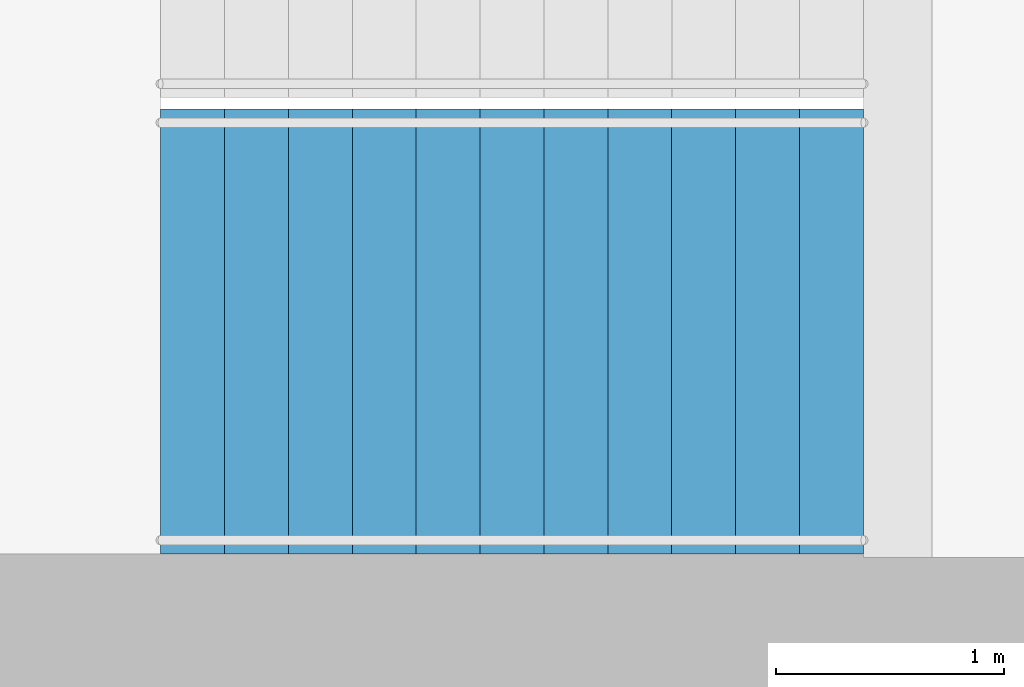
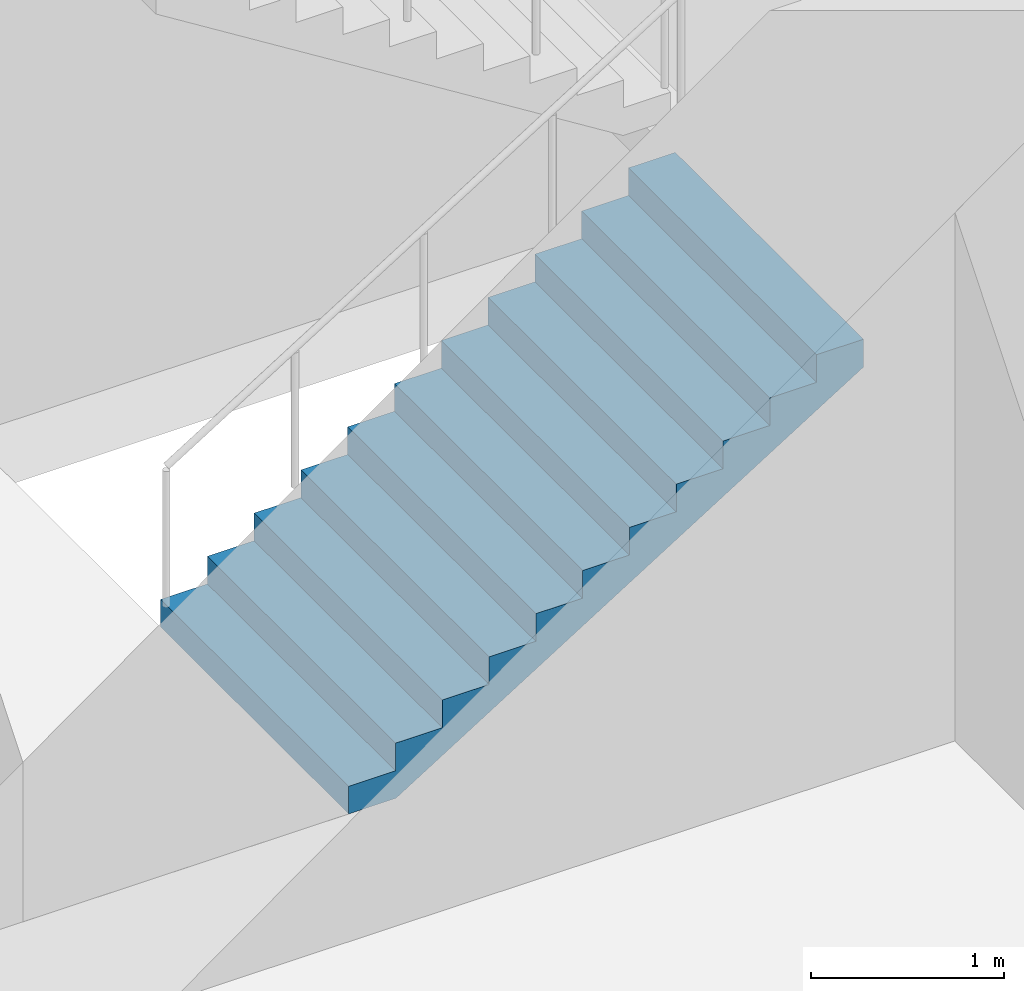
# One storey, part 19 of 23: 1 stair flight, 1 element without a shape of its own.
"""IFC4 building model written with IfcOpenShell, lengths in metres."""

from ifc_helpers import new_model, si_unit, direction, frame, origin, place, context, subcontext, project, spatial, triangles, material, type_object, element, aggregate, save


model = new_model("IFC4")

# Units and contexts
model_context = context("Model", 3, precision=1e-05, world=origin(), true_north=direction((0.0, 1.0)))
body_context = subcontext(model_context, "Body", "Model", "MODEL_VIEW")
ifc_project = project(units=[si_unit("LENGTHUNIT", "METRE"), si_unit("AREAUNIT", "SQUARE_METRE"), si_unit("VOLUMEUNIT", "CUBIC_METRE"), si_unit("PLANEANGLEUNIT", "RADIAN"), si_unit("MASSUNIT", "GRAM", prefix="KILO")], contexts=[model_context])

# Site, building, storey
site_placement = place(None, origin())
site = spatial("IfcSite", under=ifc_project, at=site_placement, CompositionType="ELEMENT")
building_placement = place(site_placement, origin())
building = spatial("IfcBuilding", under=site, at=building_placement, Name="Orbita Commons", CompositionType="ELEMENT")
storey_placement = place(building_placement, frame((0.0, 0.0, 16.0)))
storey = spatial("IfcBuildingStorey", under=building, at=storey_placement, Name="L03", CompositionType="ELEMENT", Elevation=16.0)

# Stair, stair flight
ifc_material_1 = material(Name="Precast concrete C40/50", Category="concrete")
stair_type = type_object("IfcStairType", Name="Exit stair S1 2 flights 12 risers 175", PredefinedType="HALF_TURN_STAIR", material=ifc_material_1)
stair_placement = place(storey_placement, origin())
stair = element("IfcStair", 1, at=stair_placement, inside=storey, type_object=stair_type, Name="Exit stair S1 L03", PredefinedType="HALF_TURN_STAIR")
ifc_material_2 = material(Name="Precast concrete C40/50", Category="concrete")
stair_flight_type = type_object("IfcStairFlightType", Name="Stair flight 12 risers 175 x 280", PredefinedType="STRAIGHT", material=ifc_material_2)
stair_flight_placement = place(storey_placement, frame((20.449951171875, 27.27490234375, 0.0), z_axis=(0.0, 0.0, 1.0), x_axis=(1.0, 0.0, 0.0)))
stair_flight = element("IfcStairFlight", 2, at=stair_flight_placement, type_object=stair_flight_type, Name="S1 flight 1", NumberOfRisers=12, NumberOfTreads=11, PredefinedType="STRAIGHT", RiserHeight=0.175, TreadLength=0.28, context=body_context, shape_type="Tessellation", body=[
    triangles([(0.0, 0.974976, 0.0), (0.0, 0.974976, 0.021875), (0.0, 0.81248, 0.021875), (0.0, 0.81248, 0.0), (0.0, 0.649984, 0.021875), (0.0, 0.649984, 0.0), (0.0, 0.487488, 0.021875), (0.0, 0.487488, 0.0), (0.0, 0.324992, 0.021875), (0.0, 0.324992, 0.0), (0.0, 0.162496, 0.021875), (0.0, 0.162496, 0.0), (0.0, 0.0, 0.021875), (0.0, 0.0, 0.0), (0.0, -0.162496, 0.021875), (0.0, -0.162496, 0.0), (0.0, -0.324992, 0.021875), (0.0, -0.324992, 0.0), (0.0, -0.487488, 0.021875), (0.0, -0.487488, 0.0), (0.0, -0.649984, 0.021875), (0.0, -0.649984, 0.0), (0.0, -0.81248, 0.021875), (0.0, -0.81248, 0.0), (0.0, -0.974976, 0.021875), (0.0, -0.974976, 0.0), (0.0, 0.974976, 0.04375), (0.0, 0.81248, 0.04375), (0.0, 0.649984, 0.04375), (0.0, 0.487488, 0.04375), (0.0, 0.324992, 0.04375), (0.0, 0.162496, 0.04375), (0.0, 0.0, 0.04375), (0.0, -0.162496, 0.04375), (0.0, -0.324992, 0.04375), (0.0, -0.487488, 0.04375), (0.0, -0.649984, 0.04375), (0.0, -0.81248, 0.04375), (0.0, -0.974976, 0.04375), (0.0, 0.974976, 0.065625), (0.0, 0.81248, 0.065625), (0.0, 0.649984, 0.065625), (0.0, 0.487488, 0.065625), (0.0, 0.324992, 0.065625), (0.0, 0.162496, 0.065625), (0.0, 0.0, 0.065625), (0.0, -0.162496, 0.065625), (0.0, -0.324992, 0.065625), (0.0, -0.487488, 0.065625), (0.0, -0.649984, 0.065625), (0.0, -0.81248, 0.065625), (0.0, -0.974976, 0.065625), (0.0, 0.974976, 0.0875), (0.0, 0.81248, 0.0875), (0.0, 0.649984, 0.0875), (0.0, 0.487488, 0.0875), (0.0, 0.324992, 0.0875), (0.0, 0.162496, 0.0875), (0.0, 0.0, 0.0875), (0.0, -0.162496, 0.0875), (0.0, -0.324992, 0.0875), (0.0, -0.487488, 0.0875), (0.0, -0.649984, 0.0875), (0.0, -0.81248, 0.0875), (0.0, -0.974976, 0.0875), (0.0, 0.974976, 0.109375), (0.0, 0.81248, 0.109375), (0.0, 0.649984, 0.109375), (0.0, 0.487488, 0.109375), (0.0, 0.324992, 0.109375), (0.0, 0.162496, 0.109375), (0.0, 0.0, 0.109375), (0.0, -0.162496, 0.109375), (0.0, -0.324992, 0.109375), (0.0, -0.487488, 0.109375), (0.0, -0.649984, 0.109375), (0.0, -0.81248, 0.109375), (0.0, -0.974976, 0.109375), (0.0, 0.974976, 0.13125), (0.0, 0.81248, 0.13125), (0.0, 0.649984, 0.13125), (0.0, 0.487488, 0.13125), (0.0, 0.324992, 0.13125), (0.0, 0.162496, 0.13125), (0.0, 0.0, 0.13125), (0.0, -0.162496, 0.13125), (0.0, -0.324992, 0.13125), (0.0, -0.487488, 0.13125), (0.0, -0.649984, 0.13125), (0.0, -0.81248, 0.13125), (0.0, -0.974976, 0.13125), (0.0, 0.974976, 0.153125), (0.0, 0.81248, 0.153125), (0.0, 0.649984, 0.153125), (0.0, 0.487488, 0.153125), (0.0, 0.324992, 0.153125), (0.0, 0.162496, 0.153125), (0.0, 0.0, 0.153125), (0.0, -0.162496, 0.153125), (0.0, -0.324992, 0.153125), (0.0, -0.487488, 0.153125), (0.0, -0.649984, 0.153125), (0.0, -0.81248, 0.153125), (0.0, -0.974976, 0.153125), (0.0, 0.974976, 0.175), (0.0, 0.81248, 0.175), (0.0, 0.649984, 0.175), (0.0, 0.487488, 0.175), (0.0, 0.324992, 0.175), (0.0, 0.162496, 0.175), (0.0, 0.0, 0.175), (0.0, -0.162496, 0.175), (0.0, -0.324992, 0.175), (0.0, -0.487488, 0.175), (0.0, -0.649984, 0.175), (0.0, -0.81248, 0.175), (0.0, -0.974976, 0.175), (0.28, 0.974976, 0.175), (0.28, 0.81248, 0.175), (0.28, 0.649984, 0.175), (0.28, 0.487488, 0.175), (0.28, 0.324992, 0.175), (0.28, 0.162496, 0.175), (0.28, 0.0, 0.175), (0.28, -0.162496, 0.175), (0.28, -0.324992, 0.175), (0.28, -0.487488, 0.175), (0.28, -0.649984, 0.175), (0.28, -0.81248, 0.175), (0.28, -0.974976, 0.175), (0.28, 0.974976, 0.35), (0.28, 0.81248, 0.35), (0.28, 0.649984, 0.35), (0.28, 0.487488, 0.35), (0.28, 0.324992, 0.35), (0.28, 0.162496, 0.35), (0.28, 0.0, 0.35), (0.28, -0.162496, 0.35), (0.28, -0.324992, 0.35), (0.28, -0.487488, 0.35), (0.28, -0.649984, 0.35), (0.28, -0.81248, 0.35), (0.28, -0.974976, 0.35), (0.56, 0.974976, 0.35), (0.56, 0.81248, 0.35), (0.56, 0.649984, 0.35), (0.56, 0.487488, 0.35), (0.56, 0.324992, 0.35), (0.56, 0.162496, 0.35), (0.56, 0.0, 0.35), (0.56, -0.162496, 0.35), (0.56, -0.324992, 0.35), (0.56, -0.487488, 0.35), (0.56, -0.649984, 0.35), (0.56, -0.81248, 0.35), (0.56, -0.974976, 0.35), (0.56, 0.974976, 0.525), (0.56, 0.81248, 0.525), (0.56, 0.649984, 0.525), (0.56, 0.487488, 0.525), (0.56, 0.324992, 0.525), (0.56, 0.162496, 0.525), (0.56, 0.0, 0.525), (0.56, -0.162496, 0.525), (0.56, -0.324992, 0.525), (0.56, -0.487488, 0.525), (0.56, -0.649984, 0.525), (0.56, -0.81248, 0.525), (0.56, -0.974976, 0.525), (0.84, 0.974976, 0.525), (0.84, 0.81248, 0.525), (0.84, 0.649984, 0.525), (0.84, 0.487488, 0.525), (0.84, 0.324992, 0.525), (0.84, 0.162496, 0.525), (0.84, 0.0, 0.525), (0.84, -0.162496, 0.525), (0.84, -0.324992, 0.525), (0.84, -0.487488, 0.525), (0.84, -0.649984, 0.525), (0.84, -0.81248, 0.525), (0.84, -0.974976, 0.525), (0.84, 0.974976, 0.7), (0.84, 0.81248, 0.7), (0.84, 0.649984, 0.7), (0.84, 0.487488, 0.7), (0.84, 0.324992, 0.7), (0.84, 0.162496, 0.7), (0.84, 0.0, 0.7), (0.84, -0.162496, 0.7), (0.84, -0.324992, 0.7), (0.84, -0.487488, 0.7), (0.84, -0.649984, 0.7), (0.84, -0.81248, 0.7), (0.84, -0.974976, 0.7), (1.12, 0.974976, 0.7), (1.12, 0.81248, 0.7), (1.12, 0.649984, 0.7), (1.12, 0.487488, 0.7), (1.12, 0.324992, 0.7), (1.12, 0.162496, 0.7), (1.12, 0.0, 0.7), (1.12, -0.162496, 0.7), (1.12, -0.324992, 0.7), (1.12, -0.487488, 0.7), (1.12, -0.649984, 0.7), (1.12, -0.81248, 0.7), (1.12, -0.974976, 0.7), (1.12, 0.974976, 0.875), (1.12, 0.81248, 0.875), (1.12, 0.649984, 0.875), (1.12, 0.487488, 0.875), (1.12, 0.324992, 0.875), (1.12, 0.162496, 0.875), (1.12, 0.0, 0.875), (1.12, -0.162496, 0.875), (1.12, -0.324992, 0.875), (1.12, -0.487488, 0.875), (1.12, -0.649984, 0.875), (1.12, -0.81248, 0.875), (1.12, -0.974976, 0.875), (1.4, 0.974976, 0.875), (1.4, 0.81248, 0.875), (1.4, 0.649984, 0.875), (1.4, 0.487488, 0.875), (1.4, 0.324992, 0.875), (1.4, 0.162496, 0.875), (1.4, 0.0, 0.875), (1.4, -0.162496, 0.875), (1.4, -0.324992, 0.875), (1.4, -0.487488, 0.875), (1.4, -0.649984, 0.875), (1.4, -0.81248, 0.875), (1.4, -0.974976, 0.875), (1.4, 0.974976, 1.05), (1.4, 0.81248, 1.05), (1.4, 0.649984, 1.05), (1.4, 0.487488, 1.05), (1.4, 0.324992, 1.05), (1.4, 0.162496, 1.05), (1.4, 0.0, 1.05), (1.4, -0.162496, 1.05), (1.4, -0.324992, 1.05), (1.4, -0.487488, 1.05), (1.4, -0.649984, 1.05), (1.4, -0.81248, 1.05), (1.4, -0.974976, 1.05), (1.68, 0.974976, 1.05), (1.68, 0.81248, 1.05), (1.68, 0.649984, 1.05), (1.68, 0.487488, 1.05), (1.68, 0.324992, 1.05), (1.68, 0.162496, 1.05), (1.68, 0.0, 1.05), (1.68, -0.162496, 1.05), (1.68, -0.324992, 1.05), (1.68, -0.487488, 1.05), (1.68, -0.649984, 1.05), (1.68, -0.81248, 1.05), (1.68, -0.974976, 1.05), (1.68, 0.974976, 1.225), (1.68, 0.81248, 1.225), (1.68, 0.649984, 1.225), (1.68, 0.487488, 1.225), (1.68, 0.324992, 1.225), (1.68, 0.162496, 1.225), (1.68, 0.0, 1.225), (1.68, -0.162496, 1.225), (1.68, -0.324992, 1.225), (1.68, -0.487488, 1.225), (1.68, -0.649984, 1.225), (1.68, -0.81248, 1.225), (1.68, -0.974976, 1.225), (1.96, 0.974976, 1.225), (1.96, 0.81248, 1.225), (1.96, 0.649984, 1.225), (1.96, 0.487488, 1.225), (1.96, 0.324992, 1.225), (1.96, 0.162496, 1.225), (1.96, 0.0, 1.225), (1.96, -0.162496, 1.225), (1.96, -0.324992, 1.225), (1.96, -0.487488, 1.225), (1.96, -0.649984, 1.225), (1.96, -0.81248, 1.225), (1.96, -0.974976, 1.225), (1.96, 0.974976, 1.4), (1.96, 0.81248, 1.4), (1.96, 0.649984, 1.4), (1.96, 0.487488, 1.4), (1.96, 0.324992, 1.4), (1.96, 0.162496, 1.4), (1.96, 0.0, 1.4), (1.96, -0.162496, 1.4), (1.96, -0.324992, 1.4), (1.96, -0.487488, 1.4), (1.96, -0.649984, 1.4), (1.96, -0.81248, 1.4), (1.96, -0.974976, 1.4), (2.24, 0.974976, 1.4), (2.24, 0.81248, 1.4), (2.24, 0.649984, 1.4), (2.24, 0.487488, 1.4), (2.24, 0.324992, 1.4), (2.24, 0.162496, 1.4), (2.24, 0.0, 1.4), (2.24, -0.162496, 1.4), (2.24, -0.324992, 1.4), (2.24, -0.487488, 1.4), (2.24, -0.649984, 1.4), (2.24, -0.81248, 1.4), (2.24, -0.974976, 1.4), (2.24, 0.974976, 1.575), (2.24, 0.81248, 1.575), (2.24, 0.649984, 1.575), (2.24, 0.487488, 1.575), (2.24, 0.324992, 1.575), (2.24, 0.162496, 1.575), (2.24, 0.0, 1.575), (2.24, -0.162496, 1.575), (2.24, -0.324992, 1.575), (2.24, -0.487488, 1.575), (2.24, -0.649984, 1.575), (2.24, -0.81248, 1.575), (2.24, -0.974976, 1.575), (2.52, 0.974976, 1.575), (2.52, 0.81248, 1.575), (2.52, 0.649984, 1.575), (2.52, 0.487488, 1.575), (2.52, 0.324992, 1.575), (2.52, 0.162496, 1.575), (2.52, 0.0, 1.575), (2.52, -0.162496, 1.575), (2.52, -0.324992, 1.575), (2.52, -0.487488, 1.575), (2.52, -0.649984, 1.575), (2.52, -0.81248, 1.575), (2.52, -0.974976, 1.575), (2.52, 0.974976, 1.75), (2.52, 0.81248, 1.75), (2.52, 0.649984, 1.75), (2.52, 0.487488, 1.75), (2.52, 0.324992, 1.75), (2.52, 0.162496, 1.75), (2.52, 0.0, 1.75), (2.52, -0.162496, 1.75), (2.52, -0.324992, 1.75), (2.52, -0.487488, 1.75), (2.52, -0.649984, 1.75), (2.52, -0.81248, 1.75), (2.52, -0.974976, 1.75), (2.8, 0.974976, 1.75), (2.8, 0.81248, 1.75), (2.8, 0.649984, 1.75), (2.8, 0.487488, 1.75), (2.8, 0.324992, 1.75), (2.8, 0.162496, 1.75), (2.8, 0.0, 1.75), (2.8, -0.162496, 1.75), (2.8, -0.324992, 1.75), (2.8, -0.487488, 1.75), (2.8, -0.649984, 1.75), (2.8, -0.81248, 1.75), (2.8, -0.974976, 1.75), (2.8, 0.974976, 1.925), (2.8, 0.81248, 1.925), (2.8, 0.649984, 1.925), (2.8, 0.487488, 1.925), (2.8, 0.324992, 1.925), (2.8, 0.162496, 1.925), (2.8, 0.0, 1.925), (2.8, -0.162496, 1.925), (2.8, -0.324992, 1.925), (2.8, -0.487488, 1.925), (2.8, -0.649984, 1.925), (2.8, -0.81248, 1.925), (2.8, -0.974976, 1.925), (3.08, 0.974976, 1.925), (3.08, 0.81248, 1.925), (3.08, 0.649984, 1.925), (3.08, 0.487488, 1.925), (3.08, 0.324992, 1.925), (3.08, 0.162496, 1.925), (3.08, 0.0, 1.925), (3.08, -0.162496, 1.925), (3.08, -0.324992, 1.925), (3.08, -0.487488, 1.925), (3.08, -0.649984, 1.925), (3.08, -0.81248, 1.925), (3.08, -0.974976, 1.925), (3.08, 0.974976, 1.902904), (3.08, 0.81248, 1.902904), (3.08, 0.649984, 1.902904), (3.08, 0.487488, 1.902904), (3.08, 0.324992, 1.902904), (3.08, 0.162496, 1.902904), (3.08, 0.0, 1.902904), (3.08, -0.162496, 1.902904), (3.08, -0.324992, 1.902904), (3.08, -0.487488, 1.902904), (3.08, -0.649984, 1.902904), (3.08, -0.81248, 1.902904), (3.08, -0.974976, 1.902904), (3.08, 0.974976, 1.880807), (3.08, 0.81248, 1.880807), (3.08, 0.649984, 1.880807), (3.08, 0.487488, 1.880807), (3.08, 0.324992, 1.880807), (3.08, 0.162496, 1.880807), (3.08, 0.0, 1.880807), (3.08, -0.162496, 1.880807), (3.08, -0.324992, 1.880807), (3.08, -0.487488, 1.880807), (3.08, -0.649984, 1.880807), (3.08, -0.81248, 1.880807), (3.08, -0.974976, 1.880807), (3.08, 0.974976, 1.858711), (3.08, 0.81248, 1.858711), (3.08, 0.649984, 1.858711), (3.08, 0.487488, 1.858711), (3.08, 0.324992, 1.858711), (3.08, 0.162496, 1.858711), (3.08, 0.0, 1.858711), (3.08, -0.162496, 1.858711), (3.08, -0.324992, 1.858711), (3.08, -0.487488, 1.858711), (3.08, -0.649984, 1.858711), (3.08, -0.81248, 1.858711), (3.08, -0.974976, 1.858711), (3.08, 0.974976, 1.836614), (3.08, 0.81248, 1.836614), (3.08, 0.649984, 1.836614), (3.08, 0.487488, 1.836614), (3.08, 0.324992, 1.836614), (3.08, 0.162496, 1.836614), (3.08, 0.0, 1.836614), (3.08, -0.162496, 1.836614), (3.08, -0.324992, 1.836614), (3.08, -0.487488, 1.836614), (3.08, -0.649984, 1.836614), (3.08, -0.81248, 1.836614), (3.08, -0.974976, 1.836614), (3.08, 0.974976, 1.814518), (3.08, 0.81248, 1.814518), (3.08, 0.649984, 1.814518), (3.08, 0.487488, 1.814518), (3.08, 0.324992, 1.814518), (3.08, 0.162496, 1.814518), (3.08, 0.0, 1.814518), (3.08, -0.162496, 1.814518), (3.08, -0.324992, 1.814518), (3.08, -0.487488, 1.814518), (3.08, -0.649984, 1.814518), (3.08, -0.81248, 1.814518), (3.08, -0.974976, 1.814518), (3.08, 0.974976, 1.792421), (3.08, 0.81248, 1.792421), (3.08, 0.649984, 1.792421), (3.08, 0.487488, 1.792421), (3.08, 0.324992, 1.792421), (3.08, 0.162496, 1.792421), (3.08, 0.0, 1.792421), (3.08, -0.162496, 1.792421), (3.08, -0.324992, 1.792421), (3.08, -0.487488, 1.792421), (3.08, -0.649984, 1.792421), (3.08, -0.81248, 1.792421), (3.08, -0.974976, 1.792421), (3.08, 0.974976, 1.770325), (3.08, 0.81248, 1.770325), (3.08, 0.649984, 1.770325), (3.08, 0.487488, 1.770325), (3.08, 0.324992, 1.770325), (3.08, 0.162496, 1.770325), (3.08, 0.0, 1.770325), (3.08, -0.162496, 1.770325), (3.08, -0.324992, 1.770325), (3.08, -0.487488, 1.770325), (3.08, -0.649984, 1.770325), (3.08, -0.81248, 1.770325), (3.08, -0.974976, 1.770325), (3.08, 0.974976, 1.748228), (3.08, 0.81248, 1.748228), (3.08, 0.649984, 1.748228), (3.08, 0.487488, 1.748228), (3.08, 0.324992, 1.748228), (3.08, 0.162496, 1.748228), (3.08, 0.0, 1.748228), (3.08, -0.162496, 1.748228), (3.08, -0.324992, 1.748228), (3.08, -0.487488, 1.748228), (3.08, -0.649984, 1.748228), (3.08, -0.81248, 1.748228), (3.08, -0.974976, 1.748228), (0.282835, 0.974976, 0.0), (0.282835, 0.81248, 0.0), (0.282835, 0.649984, 0.0), (0.282835, 0.487488, 0.0), (0.282835, 0.324992, 0.0), (0.282835, 0.162496, 0.0), (0.282835, 0.0, 0.0), (0.282835, -0.162496, 0.0), (0.282835, -0.324992, 0.0), (0.282835, -0.487488, 0.0), (0.282835, -0.649984, 0.0), (0.282835, -0.81248, 0.0), (0.282835, -0.974976, 0.0)], [[3, 2, 1], [4, 3, 1], [5, 3, 4], [6, 5, 4], [7, 5, 6], [8, 7, 6], [9, 7, 8], [10, 9, 8], [11, 9, 10], [12, 11, 10], [13, 11, 12], [14, 13, 12], [15, 13, 14], [16, 15, 14], [17, 15, 16], [18, 17, 16], [19, 17, 18], [20, 19, 18], [21, 19, 20], [22, 21, 20], [23, 21, 22], [24, 23, 22], [25, 23, 24], [26, 25, 24], [28, 27, 2], [3, 28, 2], [29, 28, 3], [5, 29, 3], [30, 29, 5], [7, 30, 5], [31, 30, 7], [9, 31, 7], [32, 31, 9], [11, 32, 9], [33, 32, 11], [13, 33, 11], [34, 33, 13], [15, 34, 13], [35, 34, 15], [17, 35, 15], [36, 35, 17], [19, 36, 17], [37, 36, 19], [21, 37, 19], [38, 37, 21], [23, 38, 21], [39, 38, 23], [25, 39, 23], [41, 40, 27], [28, 41, 27], [42, 41, 28], [29, 42, 28], [43, 42, 29], [30, 43, 29], [44, 43, 30], [31, 44, 30], [45, 44, 31], [32, 45, 31], [46, 45, 32], [33, 46, 32], [47, 46, 33], [34, 47, 33], [48, 47, 34], [35, 48, 34], [49, 48, 35], [36, 49, 35], [50, 49, 36], [37, 50, 36], [51, 50, 37], [38, 51, 37], [52, 51, 38], [39, 52, 38], [54, 53, 40], [41, 54, 40], [55, 54, 41], [42, 55, 41], [56, 55, 42], [43, 56, 42], [57, 56, 43], [44, 57, 43], [58, 57, 44], [45, 58, 44], [59, 58, 45], [46, 59, 45], [60, 59, 46], [47, 60, 46], [61, 60, 47], [48, 61, 47], [62, 61, 48], [49, 62, 48], [63, 62, 49], [50, 63, 49], [64, 63, 50], [51, 64, 50], [65, 64, 51], [52, 65, 51], [67, 66, 53], [54, 67, 53], [68, 67, 54], [55, 68, 54], [69, 68, 55], [56, 69, 55], [70, 69, 56], [57, 70, 56], [71, 70, 57], [58, 71, 57], [72, 71, 58], [59, 72, 58], [73, 72, 59], [60, 73, 59], [74, 73, 60], [61, 74, 60], [75, 74, 61], [62, 75, 61], [76, 75, 62], [63, 76, 62], [77, 76, 63], [64, 77, 63], [78, 77, 64], [65, 78, 64], [80, 79, 66], [67, 80, 66], [81, 80, 67], [68, 81, 67], [82, 81, 68], [69, 82, 68], [83, 82, 69], [70, 83, 69], [84, 83, 70], [71, 84, 70], [85, 84, 71], [72, 85, 71], [86, 85, 72], [73, 86, 72], [87, 86, 73], [74, 87, 73], [88, 87, 74], [75, 88, 74], [89, 88, 75], [76, 89, 75], [90, 89, 76], [77, 90, 76], [91, 90, 77], [78, 91, 77], [93, 92, 79], [80, 93, 79], [94, 93, 80], [81, 94, 80], [95, 94, 81], [82, 95, 81], [96, 95, 82], [83, 96, 82], [97, 96, 83], [84, 97, 83], [98, 97, 84], [85, 98, 84], [99, 98, 85], [86, 99, 85], [100, 99, 86], [87, 100, 86], [101, 100, 87], [88, 101, 87], [102, 101, 88], [89, 102, 88], [103, 102, 89], [90, 103, 89], [104, 103, 90], [91, 104, 90], [106, 105, 92], [93, 106, 92], [107, 106, 93], [94, 107, 93], [108, 107, 94], [95, 108, 94], [109, 108, 95], [96, 109, 95], [110, 109, 96], [97, 110, 96], [111, 110, 97], [98, 111, 97], [112, 111, 98], [99, 112, 98], [113, 112, 99], [100, 113, 99], [114, 113, 100], [101, 114, 100], [115, 114, 101], [102, 115, 101], [116, 115, 102], [103, 116, 102], [117, 116, 103], [104, 117, 103], [119, 118, 105], [106, 119, 105], [120, 119, 106], [107, 120, 106], [121, 120, 107], [108, 121, 107], [122, 121, 108], [109, 122, 108], [123, 122, 109], [110, 123, 109], [124, 123, 110], [111, 124, 110], [125, 124, 111], [112, 125, 111], [126, 125, 112], [113, 126, 112], [127, 126, 113], [114, 127, 113], [128, 127, 114], [115, 128, 114], [129, 128, 115], [116, 129, 115], [130, 129, 116], [117, 130, 116], [132, 131, 118], [119, 132, 118], [133, 132, 119], [120, 133, 119], [134, 133, 120], [121, 134, 120], [135, 134, 121], [122, 135, 121], [136, 135, 122], [123, 136, 122], [137, 136, 123], [124, 137, 123], [138, 137, 124], [125, 138, 124], [139, 138, 125], [126, 139, 125], [140, 139, 126], [127, 140, 126], [141, 140, 127], [128, 141, 127], [142, 141, 128], [129, 142, 128], [143, 142, 129], [130, 143, 129], [145, 144, 131], [132, 145, 131], [146, 145, 132], [133, 146, 132], [147, 146, 133], [134, 147, 133], [148, 147, 134], [135, 148, 134], [149, 148, 135], [136, 149, 135], [150, 149, 136], [137, 150, 136], [151, 150, 137], [138, 151, 137], [152, 151, 138], [139, 152, 138], [153, 152, 139], [140, 153, 139], [154, 153, 140], [141, 154, 140], [155, 154, 141], [142, 155, 141], [156, 155, 142], [143, 156, 142], [158, 157, 144], [145, 158, 144], [159, 158, 145], [146, 159, 145], [160, 159, 146], [147, 160, 146], [161, 160, 147], [148, 161, 147], [162, 161, 148], [149, 162, 148], [163, 162, 149], [150, 163, 149], [164, 163, 150], [151, 164, 150], [165, 164, 151], [152, 165, 151], [166, 165, 152], [153, 166, 152], [167, 166, 153], [154, 167, 153], [168, 167, 154], [155, 168, 154], [169, 168, 155], [156, 169, 155], [171, 170, 157], [158, 171, 157], [172, 171, 158], [159, 172, 158], [173, 172, 159], [160, 173, 159], [174, 173, 160], [161, 174, 160], [175, 174, 161], [162, 175, 161], [176, 175, 162], [163, 176, 162], [177, 176, 163], [164, 177, 163], [178, 177, 164], [165, 178, 164], [179, 178, 165], [166, 179, 165], [180, 179, 166], [167, 180, 166], [181, 180, 167], [168, 181, 167], [182, 181, 168], [169, 182, 168], [184, 183, 170], [171, 184, 170], [185, 184, 171], [172, 185, 171], [186, 185, 172], [173, 186, 172], [187, 186, 173], [174, 187, 173], [188, 187, 174], [175, 188, 174], [189, 188, 175], [176, 189, 175], [190, 189, 176], [177, 190, 176], [191, 190, 177], [178, 191, 177], [192, 191, 178], [179, 192, 178], [193, 192, 179], [180, 193, 179], [194, 193, 180], [181, 194, 180], [195, 194, 181], [182, 195, 181], [197, 196, 183], [184, 197, 183], [198, 197, 184], [185, 198, 184], [199, 198, 185], [186, 199, 185], [200, 199, 186], [187, 200, 186], [201, 200, 187], [188, 201, 187], [202, 201, 188], [189, 202, 188], [203, 202, 189], [190, 203, 189], [204, 203, 190], [191, 204, 190], [205, 204, 191], [192, 205, 191], [206, 205, 192], [193, 206, 192], [207, 206, 193], [194, 207, 193], [208, 207, 194], [195, 208, 194], [210, 209, 196], [197, 210, 196], [211, 210, 197], [198, 211, 197], [212, 211, 198], [199, 212, 198], [213, 212, 199], [200, 213, 199], [214, 213, 200], [201, 214, 200], [215, 214, 201], [202, 215, 201], [216, 215, 202], [203, 216, 202], [217, 216, 203], [204, 217, 203], [218, 217, 204], [205, 218, 204], [219, 218, 205], [206, 219, 205], [220, 219, 206], [207, 220, 206], [221, 220, 207], [208, 221, 207], [223, 222, 209], [210, 223, 209], [224, 223, 210], [211, 224, 210], [225, 224, 211], [212, 225, 211], [226, 225, 212], [213, 226, 212], [227, 226, 213], [214, 227, 213], [228, 227, 214], [215, 228, 214], [229, 228, 215], [216, 229, 215], [230, 229, 216], [217, 230, 216], [231, 230, 217], [218, 231, 217], [232, 231, 218], [219, 232, 218], [233, 232, 219], [220, 233, 219], [234, 233, 220], [221, 234, 220], [236, 235, 222], [223, 236, 222], [237, 236, 223], [224, 237, 223], [238, 237, 224], [225, 238, 224], [239, 238, 225], [226, 239, 225], [240, 239, 226], [227, 240, 226], [241, 240, 227], [228, 241, 227], [242, 241, 228], [229, 242, 228], [243, 242, 229], [230, 243, 229], [244, 243, 230], [231, 244, 230], [245, 244, 231], [232, 245, 231], [246, 245, 232], [233, 246, 232], [247, 246, 233], [234, 247, 233], [249, 248, 235], [236, 249, 235], [250, 249, 236], [237, 250, 236], [251, 250, 237], [238, 251, 237], [252, 251, 238], [239, 252, 238], [253, 252, 239], [240, 253, 239], [254, 253, 240], [241, 254, 240], [255, 254, 241], [242, 255, 241], [256, 255, 242], [243, 256, 242], [257, 256, 243], [244, 257, 243], [258, 257, 244], [245, 258, 244], [259, 258, 245], [246, 259, 245], [260, 259, 246], [247, 260, 246], [262, 261, 248], [249, 262, 248], [263, 262, 249], [250, 263, 249], [264, 263, 250], [251, 264, 250], [265, 264, 251], [252, 265, 251], [266, 265, 252], [253, 266, 252], [267, 266, 253], [254, 267, 253], [268, 267, 254], [255, 268, 254], [269, 268, 255], [256, 269, 255], [270, 269, 256], [257, 270, 256], [271, 270, 257], [258, 271, 257], [272, 271, 258], [259, 272, 258], [273, 272, 259], [260, 273, 259], [275, 274, 261], [262, 275, 261], [276, 275, 262], [263, 276, 262], [277, 276, 263], [264, 277, 263], [278, 277, 264], [265, 278, 264], [279, 278, 265], [266, 279, 265], [280, 279, 266], [267, 280, 266], [281, 280, 267], [268, 281, 267], [282, 281, 268], [269, 282, 268], [283, 282, 269], [270, 283, 269], [284, 283, 270], [271, 284, 270], [285, 284, 271], [272, 285, 271], [286, 285, 272], [273, 286, 272], [288, 287, 274], [275, 288, 274], [289, 288, 275], [276, 289, 275], [290, 289, 276], [277, 290, 276], [291, 290, 277], [278, 291, 277], [292, 291, 278], [279, 292, 278], [293, 292, 279], [280, 293, 279], [294, 293, 280], [281, 294, 280], [295, 294, 281], [282, 295, 281], [296, 295, 282], [283, 296, 282], [297, 296, 283], [284, 297, 283], [298, 297, 284], [285, 298, 284], [299, 298, 285], [286, 299, 285], [301, 300, 287], [288, 301, 287], [302, 301, 288], [289, 302, 288], [303, 302, 289], [290, 303, 289], [304, 303, 290], [291, 304, 290], [305, 304, 291], [292, 305, 291], [306, 305, 292], [293, 306, 292], [307, 306, 293], [294, 307, 293], [308, 307, 294], [295, 308, 294], [309, 308, 295], [296, 309, 295], [310, 309, 296], [297, 310, 296], [311, 310, 297], [298, 311, 297], [312, 311, 298], [299, 312, 298], [314, 313, 300], [301, 314, 300], [315, 314, 301], [302, 315, 301], [316, 315, 302], [303, 316, 302], [317, 316, 303], [304, 317, 303], [318, 317, 304], [305, 318, 304], [319, 318, 305], [306, 319, 305], [320, 319, 306], [307, 320, 306], [321, 320, 307], [308, 321, 307], [322, 321, 308], [309, 322, 308], [323, 322, 309], [310, 323, 309], [324, 323, 310], [311, 324, 310], [325, 324, 311], [312, 325, 311], [327, 326, 313], [314, 327, 313], [328, 327, 314], [315, 328, 314], [329, 328, 315], [316, 329, 315], [330, 329, 316], [317, 330, 316], [331, 330, 317], [318, 331, 317], [332, 331, 318], [319, 332, 318], [333, 332, 319], [320, 333, 319], [334, 333, 320], [321, 334, 320], [335, 334, 321], [322, 335, 321], [336, 335, 322], [323, 336, 322], [337, 336, 323], [324, 337, 323], [338, 337, 324], [325, 338, 324], [340, 339, 326], [327, 340, 326], [341, 340, 327], [328, 341, 327], [342, 341, 328], [329, 342, 328], [343, 342, 329], [330, 343, 329], [344, 343, 330], [331, 344, 330], [345, 344, 331], [332, 345, 331], [346, 345, 332], [333, 346, 332], [347, 346, 333], [334, 347, 333], [348, 347, 334], [335, 348, 334], [349, 348, 335], [336, 349, 335], [350, 349, 336], [337, 350, 336], [351, 350, 337], [338, 351, 337], [353, 352, 339], [340, 353, 339], [354, 353, 340], [341, 354, 340], [355, 354, 341], [342, 355, 341], [356, 355, 342], [343, 356, 342], [357, 356, 343], [344, 357, 343], [358, 357, 344], [345, 358, 344], [359, 358, 345], [346, 359, 345], [360, 359, 346], [347, 360, 346], [361, 360, 347], [348, 361, 347], [362, 361, 348], [349, 362, 348], [363, 362, 349], [350, 363, 349], [364, 363, 350], [351, 364, 350], [366, 365, 352], [353, 366, 352], [367, 366, 353], [354, 367, 353], [368, 367, 354], [355, 368, 354], [369, 368, 355], [356, 369, 355], [370, 369, 356], [357, 370, 356], [371, 370, 357], [358, 371, 357], [372, 371, 358], [359, 372, 358], [373, 372, 359], [360, 373, 359], [374, 373, 360], [361, 374, 360], [375, 374, 361], [362, 375, 361], [376, 375, 362], [363, 376, 362], [377, 376, 363], [364, 377, 363], [379, 378, 365], [366, 379, 365], [380, 379, 366], [367, 380, 366], [381, 380, 367], [368, 381, 367], [382, 381, 368], [369, 382, 368], [383, 382, 369], [370, 383, 369], [384, 383, 370], [371, 384, 370], [385, 384, 371], [372, 385, 371], [386, 385, 372], [373, 386, 372], [387, 386, 373], [374, 387, 373], [388, 387, 374], [375, 388, 374], [389, 388, 375], [376, 389, 375], [390, 389, 376], [377, 390, 376], [392, 391, 378], [379, 392, 378], [393, 392, 379], [380, 393, 379], [394, 393, 380], [381, 394, 380], [395, 394, 381], [382, 395, 381], [396, 395, 382], [383, 396, 382], [397, 396, 383], [384, 397, 383], [398, 397, 384], [385, 398, 384], [399, 398, 385], [386, 399, 385], [400, 399, 386], [387, 400, 386], [401, 400, 387], [388, 401, 387], [402, 401, 388], [389, 402, 388], [403, 402, 389], [390, 403, 389], [405, 404, 391], [392, 405, 391], [406, 405, 392], [393, 406, 392], [407, 406, 393], [394, 407, 393], [408, 407, 394], [395, 408, 394], [409, 408, 395], [396, 409, 395], [410, 409, 396], [397, 410, 396], [411, 410, 397], [398, 411, 397], [412, 411, 398], [399, 412, 398], [413, 412, 399], [400, 413, 399], [414, 413, 400], [401, 414, 400], [415, 414, 401], [402, 415, 401], [416, 415, 402], [403, 416, 402], [418, 417, 404], [405, 418, 404], [419, 418, 405], [406, 419, 405], [420, 419, 406], [407, 420, 406], [421, 420, 407], [408, 421, 407], [422, 421, 408], [409, 422, 408], [423, 422, 409], [410, 423, 409], [424, 423, 410], [411, 424, 410], [425, 424, 411], [412, 425, 411], [426, 425, 412], [413, 426, 412], [427, 426, 413], [414, 427, 413], [428, 427, 414], [415, 428, 414], [429, 428, 415], [416, 429, 415], [431, 430, 417], [418, 431, 417], [432, 431, 418], [419, 432, 418], [433, 432, 419], [420, 433, 419], [434, 433, 420], [421, 434, 420], [435, 434, 421], [422, 435, 421], [436, 435, 422], [423, 436, 422], [437, 436, 423], [424, 437, 423], [438, 437, 424], [425, 438, 424], [439, 438, 425], [426, 439, 425], [440, 439, 426], [427, 440, 426], [441, 440, 427], [428, 441, 427], [442, 441, 428], [429, 442, 428], [444, 443, 430], [431, 444, 430], [445, 444, 431], [432, 445, 431], [446, 445, 432], [433, 446, 432], [447, 446, 433], [434, 447, 433], [448, 447, 434], [435, 448, 434], [449, 448, 435], [436, 449, 435], [450, 449, 436], [437, 450, 436], [451, 450, 437], [438, 451, 437], [452, 451, 438], [439, 452, 438], [453, 452, 439], [440, 453, 439], [454, 453, 440], [441, 454, 440], [455, 454, 441], [442, 455, 441], [457, 456, 443], [444, 457, 443], [458, 457, 444], [445, 458, 444], [459, 458, 445], [446, 459, 445], [460, 459, 446], [447, 460, 446], [461, 460, 447], [448, 461, 447], [462, 461, 448], [449, 462, 448], [463, 462, 449], [450, 463, 449], [464, 463, 450], [451, 464, 450], [465, 464, 451], [452, 465, 451], [466, 465, 452], [453, 466, 452], [467, 466, 453], [454, 467, 453], [468, 467, 454], [455, 468, 454], [470, 469, 456], [457, 470, 456], [471, 470, 457], [458, 471, 457], [472, 471, 458], [459, 472, 458], [473, 472, 459], [460, 473, 459], [474, 473, 460], [461, 474, 460], [475, 474, 461], [462, 475, 461], [476, 475, 462], [463, 476, 462], [477, 476, 463], [464, 477, 463], [478, 477, 464], [465, 478, 464], [479, 478, 465], [466, 479, 465], [480, 479, 466], [467, 480, 466], [481, 480, 467], [468, 481, 467], [483, 482, 469], [470, 483, 469], [484, 483, 470], [471, 484, 470], [485, 484, 471], [472, 485, 471], [486, 485, 472], [473, 486, 472], [487, 486, 473], [474, 487, 473], [488, 487, 474], [475, 488, 474], [489, 488, 475], [476, 489, 475], [490, 489, 476], [477, 490, 476], [491, 490, 477], [478, 491, 477], [492, 491, 478], [479, 492, 478], [493, 492, 479], [480, 493, 479], [494, 493, 480], [481, 494, 480], [496, 495, 482], [483, 496, 482], [497, 496, 483], [484, 497, 483], [498, 497, 484], [485, 498, 484], [499, 498, 485], [486, 499, 485], [500, 499, 486], [487, 500, 486], [501, 500, 487], [488, 501, 487], [502, 501, 488], [489, 502, 488], [503, 502, 489], [490, 503, 489], [504, 503, 490], [491, 504, 490], [505, 504, 491], [492, 505, 491], [506, 505, 492], [493, 506, 492], [507, 506, 493], [494, 507, 493], [4, 1, 495], [496, 4, 495], [6, 4, 496], [497, 6, 496], [8, 6, 497], [498, 8, 497], [10, 8, 498], [499, 10, 498], [12, 10, 499], [500, 12, 499], [14, 12, 500], [501, 14, 500], [16, 14, 501], [502, 16, 501], [18, 16, 502], [503, 18, 502], [20, 18, 503], [504, 20, 503], [22, 20, 504], [505, 22, 504], [24, 22, 505], [506, 24, 505], [26, 24, 506], [507, 26, 506], [482, 495, 1], [26, 507, 494], [469, 482, 1], [26, 494, 481], [456, 469, 1], [26, 481, 468], [443, 456, 1], [26, 468, 455], [430, 443, 1], [26, 455, 442], [417, 430, 1], [26, 442, 429], [404, 417, 1], [26, 429, 416], [391, 404, 1], [26, 416, 403], [365, 378, 391], [403, 390, 377], [352, 365, 391], [403, 377, 364], [326, 339, 352], [364, 351, 338], [326, 352, 391], [403, 364, 338], [300, 313, 326], [338, 325, 312], [300, 326, 391], [403, 338, 312], [274, 287, 300], [312, 299, 286], [274, 300, 391], [403, 312, 286], [248, 261, 274], [286, 273, 260], [248, 274, 391], [403, 286, 260], [222, 235, 248], [260, 247, 234], [222, 248, 391], [403, 260, 234], [196, 209, 222], [234, 221, 208], [196, 222, 391], [403, 234, 208], [170, 183, 196], [208, 195, 182], [170, 196, 391], [403, 208, 182], [144, 157, 170], [182, 169, 156], [144, 170, 391], [403, 182, 156], [118, 131, 144], [156, 143, 130], [118, 144, 391], [403, 156, 130], [118, 391, 1], [26, 403, 130], [92, 105, 118], [130, 117, 104], [79, 92, 118], [130, 104, 91], [66, 79, 118], [130, 91, 78], [53, 66, 118], [130, 78, 65], [40, 53, 118], [130, 65, 52], [27, 40, 118], [130, 52, 39], [2, 27, 118], [130, 39, 25], [1, 2, 118], [130, 25, 26]], closed=True),
])
aggregate(stair, [stair_flight])

save(model, "model.ifc")
